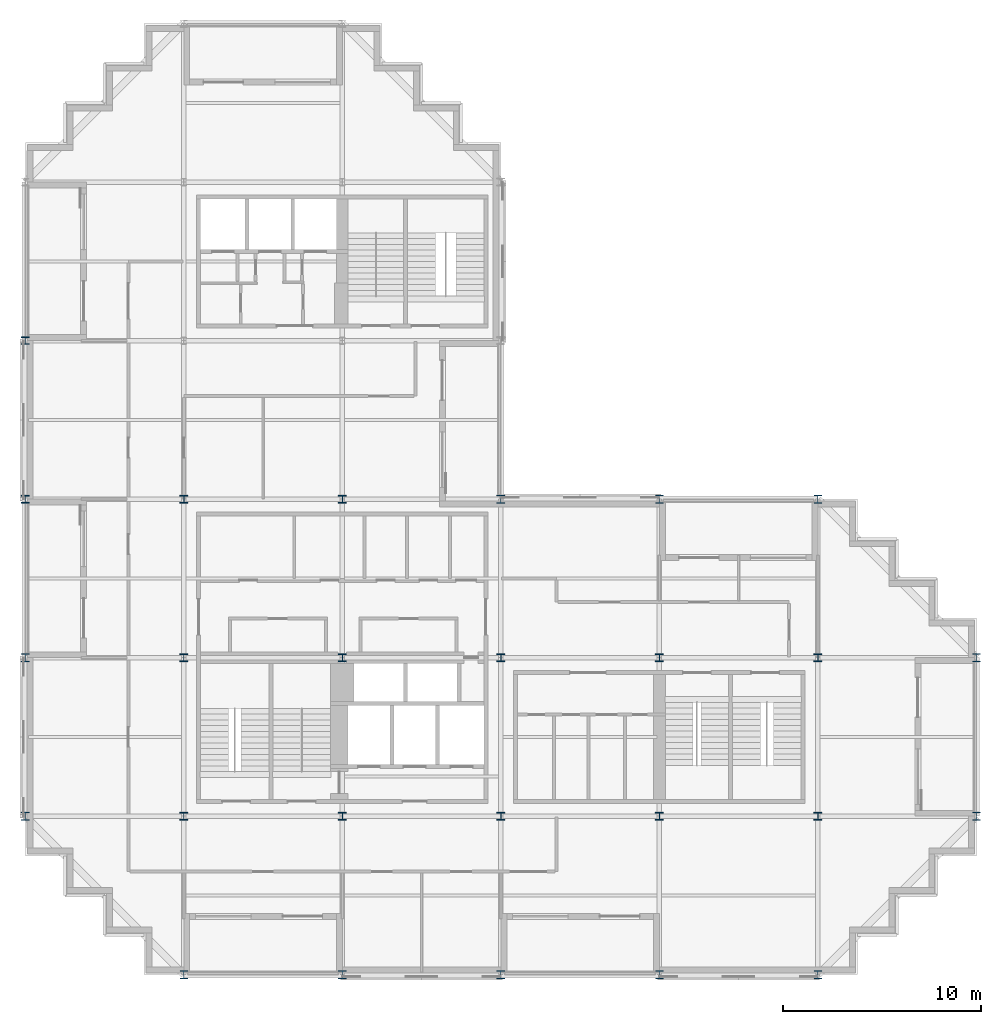
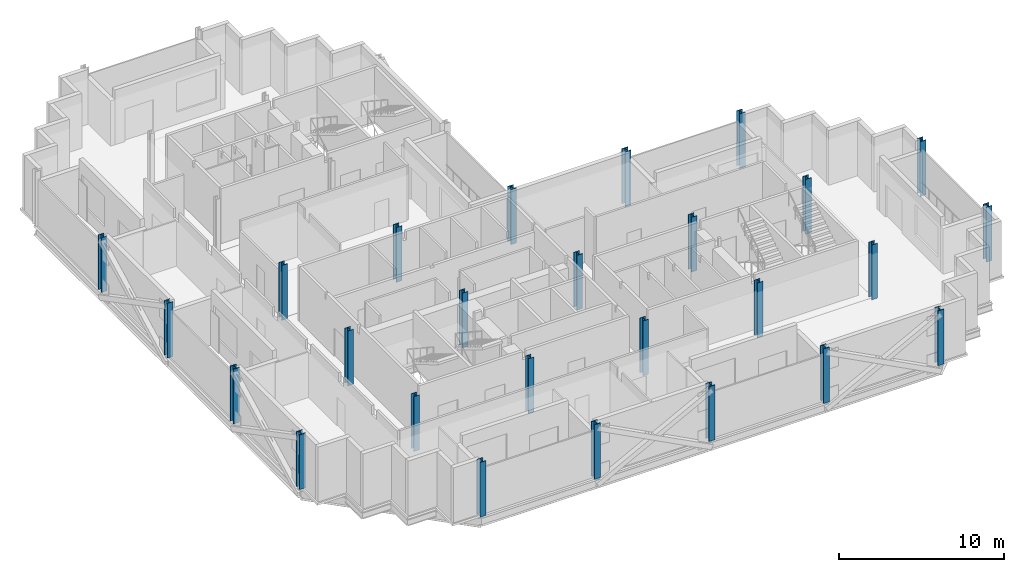
# One storey, part 1 of 10: 26 columns.
"""IFC4 building model written with IfcOpenShell, lengths in metres."""

from ifc_helpers import new_model, si_unit, direction, frame, origin, origin_2d, place, context, subcontext, project, spatial, i_section, extrude, material, material_profile, profile_set, type_object, element, save


model = new_model("IFC4")

# Units and contexts
model_context = context("Model", 3, precision=1e-05, world=origin(), true_north=direction((0.0, 1.0)))
body_context = subcontext(model_context, "Body", "Model", "MODEL_VIEW")
ifc_project = project(units=[si_unit("LENGTHUNIT", "METRE"), si_unit("AREAUNIT", "SQUARE_METRE"), si_unit("VOLUMEUNIT", "CUBIC_METRE"), si_unit("PLANEANGLEUNIT", "RADIAN"), si_unit("MASSUNIT", "GRAM", prefix="KILO")], contexts=[model_context])

# Site, building, storey
site_placement = place(None, origin())
site = spatial("IfcSite", under=ifc_project, at=site_placement, CompositionType="ELEMENT")
building_placement = place(site_placement, origin())
building = spatial("IfcBuilding", under=site, at=building_placement, Name="Immortelle Media Tower", CompositionType="ELEMENT")
storey_placement = place(building_placement, frame((0.0, 0.0, 162.0)))
storey = spatial("IfcBuildingStorey", under=building, at=storey_placement, Name="L33", CompositionType="ELEMENT", Elevation=162.0)

# Columns
ifc_material = material(Name="Steel ASTM A992 Gr 50", Category="steel")
ifc_material_profile_1 = material_profile(ifc_material, i_section(OverallWidth=0.39892578125, OverallDepth=0.385986328125, WebThickness=0.02099609375, FlangeThickness=0.032958984375, at=origin_2d()), Name="W14x176")
ifc_profile_set_1 = profile_set([ifc_material_profile_1], Name="Steel ASTM A992 Gr 50")
column_type_1 = type_object("IfcColumnType", Name="W14x176 column", PredefinedType="COLUMN", material=ifc_profile_set_1)
for number, where, z_axis, x_axis, name in (
    (1, (0.0, 24.0, 0.0), (0.0, 0.0, 1.0), (1.0, 0.0, 0.0), "Column 1/D"),
    (2, (0.0, 32.0, 0.0), (0.0, 0.0, 1.0), (1.0, 0.0, 0.0), "Column 1/E"),
    (3, (8.0, 8.0, 0.0), (0.0, 0.0, 1.0), (1.0, 0.0, 0.0), "Column 2/B"),
    (4, (8.0, 16.0, 0.0), (0.0, 0.0, 1.0), (1.0, 0.0, 0.0), "Column 2/C"),
    (5, (16.0, 8.0, 0.0), (0.0, 0.0, 1.0), (1.0, 0.0, 0.0), "Column 3/B"),
    (6, (16.0, 16.0, 0.0), (0.0, 0.0, 1.0), (1.0, 0.0, 0.0), "Column 3/C"),
    (7, (32.0, 8.0, 0.0), (0.0, 0.0, 1.0), (1.0, 0.0, 0.0), "Column 5/B"),
    (8, (32.0, 16.0, 0.0), (0.0, 0.0, 1.0), (1.0, 0.0, 0.0), "Column 5/C"),
    (9, (40.0, 8.0, 0.0), (0.0, 0.0, 1.0), (1.0, 0.0, 0.0), "Column 6/B"),
    (10, (40.0, 16.0, 0.0), (0.0, 0.0, 1.0), (1.0, 0.0, 0.0), "Column 6/C"),
):
    element("IfcColumn", number, at=place(storey_placement, frame(where, z_axis=z_axis, x_axis=x_axis)), inside=storey, type_object=column_type_1, Name=name, PredefinedType="COLUMN", context=body_context, shape_type="SweptSolid", body=[
        extrude(i_section(OverallWidth=0.39892578125, OverallDepth=0.385986328125, WebThickness=0.02099609375, FlangeThickness=0.032958984375, at=origin_2d()), origin(), (0.0, 0.0, 1.0), 4.050048828125),
    ])
ifc_material_profile_2 = material_profile(ifc_material, i_section(OverallWidth=0.40087890625, OverallDepth=0.39892578125, WebThickness=0.02490234375, FlangeThickness=0.0400390625, at=origin_2d()), Name="W14x211")
ifc_profile_set_2 = profile_set([ifc_material_profile_2], Name="Steel ASTM A992 Gr 50")
column_type_2 = type_object("IfcColumnType", Name="W14x211 column", PredefinedType="COLUMN", material=ifc_profile_set_2)
for number, where, z_axis, x_axis, name in (
    (11, (8.0, 24.0, 0.0), (0.0, 0.0, 1.0), (1.0, 0.0, 0.0), "Column 2/D"),
    (12, (16.0, 24.0, 0.0), (0.0, 0.0, 1.0), (1.0, 0.0, 0.0), "Column 3/D"),
    (13, (24.0, 8.0, 0.0), (0.0, 0.0, 1.0), (1.0, 0.0, 0.0), "Column 4/B"),
    (14, (24.0, 16.0, 0.0), (0.0, 0.0, 1.0), (1.0, 0.0, 0.0), "Column 4/C"),
):
    element("IfcColumn", number, at=place(storey_placement, frame(where, z_axis=z_axis, x_axis=x_axis)), inside=storey, type_object=column_type_2, Name=name, PredefinedType="COLUMN", context=body_context, shape_type="SweptSolid", body=[
        extrude(i_section(OverallWidth=0.40087890625, OverallDepth=0.39892578125, WebThickness=0.02490234375, FlangeThickness=0.0400390625, at=origin_2d()), origin(), (0.0, 0.0, 1.0), 4.050048828125),
    ])
ifc_material_profile_3 = material_profile(ifc_material, i_section(OverallWidth=0.406005859375, OverallDepth=0.4169921875, WebThickness=0.030029296875, FlangeThickness=0.048095703125, at=origin_2d()), Name="W14x257")
ifc_profile_set_3 = profile_set([ifc_material_profile_3], Name="Steel ASTM A992 Gr 50")
column_type_3 = type_object("IfcColumnType", Name="W14x257 column", PredefinedType="COLUMN", material=ifc_profile_set_3)
for number, where, z_axis, x_axis, name in (
    (15, (8.0, 0.0, 0.0), (0.0, 0.0, 1.0), (1.0, 0.0, 0.0), "Column 2/A"),
    (16, (40.0, 24.0, 0.0), (0.0, 0.0, 1.0), (1.0, 0.0, 0.0), "Column 6/D"),
    (17, (48.0, 8.0, 0.0), (0.0, 0.0, 1.0), (1.0, 0.0, 0.0), "Column 7/B"),
    (18, (48.0, 16.0, 0.0), (0.0, 0.0, 1.0), (1.0, 0.0, 0.0), "Column 7/C"),
):
    element("IfcColumn", number, at=place(storey_placement, frame(where, z_axis=z_axis, x_axis=x_axis)), inside=storey, type_object=column_type_3, Name=name, PredefinedType="COLUMN", context=body_context, shape_type="SweptSolid", body=[
        extrude(i_section(OverallWidth=0.406005859375, OverallDepth=0.4169921875, WebThickness=0.030029296875, FlangeThickness=0.048095703125, at=origin_2d()), origin(), (0.0, 0.0, 1.0), 4.050048828125),
    ])
ifc_material_profile_4 = material_profile(ifc_material, i_section(OverallWidth=0.410888671875, OverallDepth=0.43408203125, WebThickness=0.035888671875, FlangeThickness=0.056884765625, at=origin_2d()), Name="W14x311")
ifc_profile_set_4 = profile_set([ifc_material_profile_4], Name="Steel ASTM A992 Gr 50")
column_type_4 = type_object("IfcColumnType", Name="W14x311 column", PredefinedType="COLUMN", material=ifc_profile_set_4)
for number, where, z_axis, x_axis, name in (
    (19, (0.0, 8.0, 0.0), (0.0, 0.0, 1.0), (1.0, 0.0, 0.0), "Column 1/B"),
    (20, (0.0, 16.0, 0.0), (0.0, 0.0, 1.0), (1.0, 0.0, 0.0), "Column 1/C"),
    (21, (16.0, 0.0, 0.0), (0.0, 0.0, 1.0), (1.0, 0.0, 0.0), "Column 3/A"),
    (22, (24.0, 0.0, 0.0), (0.0, 0.0, 1.0), (1.0, 0.0, 0.0), "Column 4/A"),
    (23, (24.0, 24.0, 0.0), (0.0, 0.0, 1.0), (1.0, 0.0, 0.0), "Column 4/D"),
    (24, (32.0, 0.0, 0.0), (0.0, 0.0, 1.0), (1.0, 0.0, 0.0), "Column 5/A"),
    (25, (32.0, 24.0, 0.0), (0.0, 0.0, 1.0), (1.0, 0.0, 0.0), "Column 5/D"),
    (26, (40.0, 0.0, 0.0), (0.0, 0.0, 1.0), (1.0, 0.0, 0.0), "Column 6/A"),
):
    element("IfcColumn", number, at=place(storey_placement, frame(where, z_axis=z_axis, x_axis=x_axis)), inside=storey, type_object=column_type_4, Name=name, PredefinedType="COLUMN", context=body_context, shape_type="SweptSolid", body=[
        extrude(i_section(OverallWidth=0.410888671875, OverallDepth=0.43408203125, WebThickness=0.035888671875, FlangeThickness=0.056884765625, at=origin_2d()), origin(), (0.0, 0.0, 1.0), 4.050048828125),
    ])

save(model, "model.ifc")
